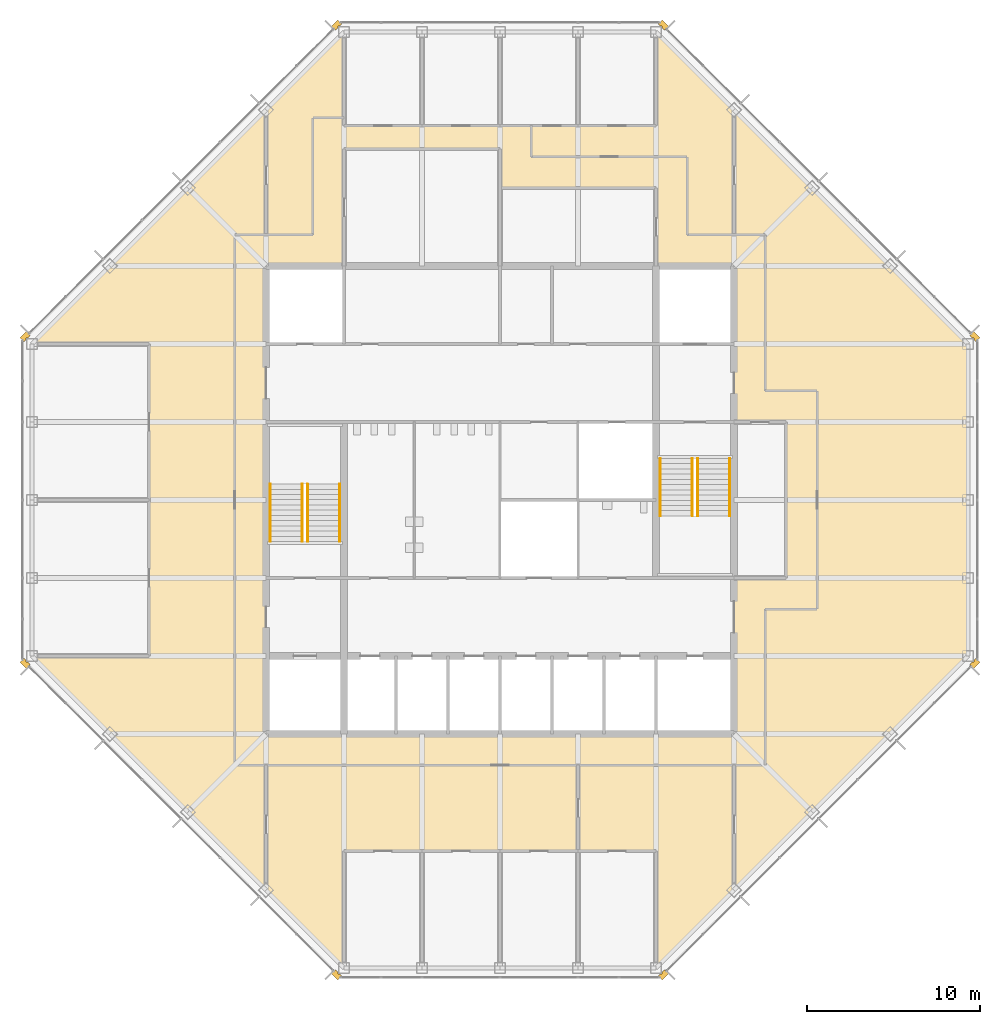
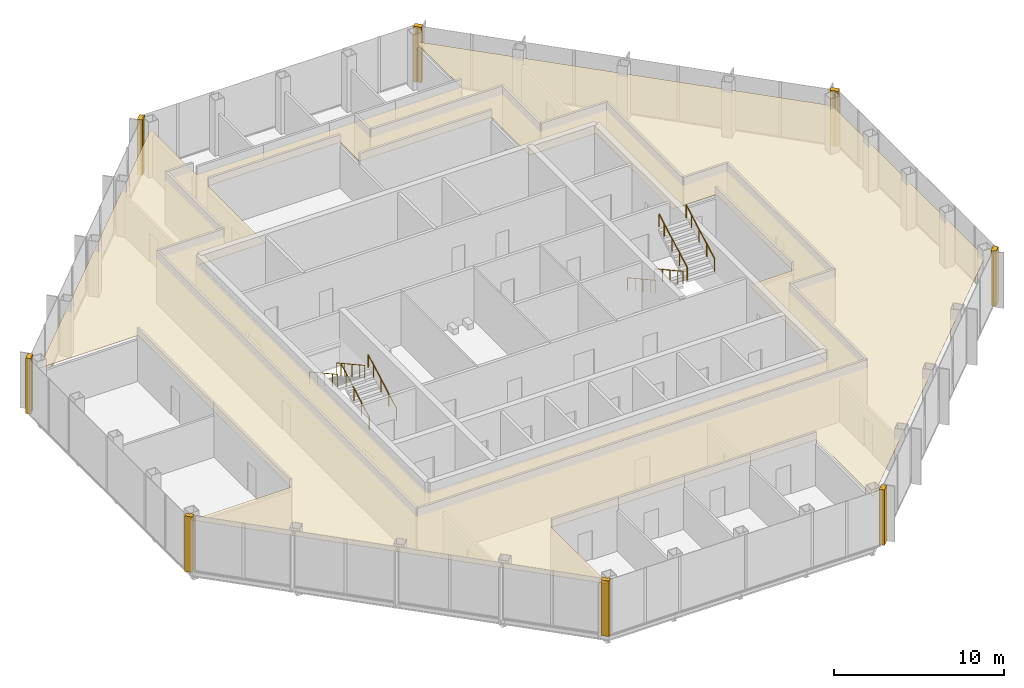
# One storey, part 13 of 14: 9 coverings, 8 railings.
"""IFC4 building model written with IfcOpenShell, lengths in metres."""

from ifc_helpers import new_model, si_unit, direction, frame, origin, origin_2d, place, context, subcontext, project, spatial, polyline, circle, outline, extrude, material, layer, layer_set, type_object, element, save


model = new_model("IFC4")

# Units and contexts
model_context = context("Model", 3, precision=1e-05, world=origin(), true_north=direction((0.0, 1.0)))
body_context = subcontext(model_context, "Body", "Model", "MODEL_VIEW")
ifc_project = project(units=[si_unit("LENGTHUNIT", "METRE"), si_unit("AREAUNIT", "SQUARE_METRE"), si_unit("VOLUMEUNIT", "CUBIC_METRE"), si_unit("PLANEANGLEUNIT", "RADIAN"), si_unit("MASSUNIT", "GRAM", prefix="KILO")], contexts=[model_context])

# Site, building, storey
site_placement = place(None, origin())
site = spatial("IfcSite", under=ifc_project, at=site_placement, CompositionType="ELEMENT")
building_placement = place(site_placement, origin())
building = spatial("IfcBuilding", under=site, at=building_placement, Name="Corais Broadcast Tower", CompositionType="ELEMENT")
storey_placement = place(building_placement, frame((0.0, 0.0, 254.60009765625)))
storey = spatial("IfcBuildingStorey", under=building, at=storey_placement, Name="L59", CompositionType="ELEMENT", Elevation=254.60009765625)

# Railings
ifc_material_1 = material(Name="Stainless steel handrail", Category="steel")
railing_type = type_object("IfcRailingType", Name="Handrail 920", PredefinedType="HANDRAIL", material=ifc_material_1)
for number, where, name in (
    (1, (17.75, 24.60009765625, 0.16650390625), "HR1 L59"),
    (2, (15.89990234375, 24.60009765625, 0.16650390625), "HR1 L59"),
):
    element("IfcRailing", number, at=place(storey_placement, frame(where)), inside=storey, type_object=railing_type, Name=name, PredefinedType="HANDRAIL", context=body_context, shape_type="SweptSolid", body=[
        extrude(circle(Radius=0.02392578125, at=origin_2d()), frame((0.0, 0.0, 0.89599609375), z_axis=(0.0, 0.875504475178, 0.483210010185), x_axis=(-1.0, 0.0, 0.0)), (0.0, 0.0, 1.0), 3.79443359375),
        extrude(circle(Radius=0.02099609375, at=origin_2d()), origin(), (0.0, 0.0, 1.0), 0.871826171875),
        extrude(circle(Radius=0.02099609375, at=origin_2d()), frame((0.0, 0.906005859375, 0.5)), (0.0, 0.0, 1.0), 0.871826171875),
        extrude(circle(Radius=0.02099609375, at=origin_2d()), frame((0.0, 1.81201171875, 1.0)), (0.0, 0.0, 1.0), 0.871826171875),
        extrude(circle(Radius=0.02099609375, at=origin_2d()), frame((0.0, 2.718017578125, 1.500244140625)), (0.0, 0.0, 1.0), 0.871826171875),
        extrude(circle(Radius=0.02099609375, at=origin_2d()), frame((0.0, 3.322021484375, 1.83349609375)), (0.0, 0.0, 1.0), 0.871826171875),
    ])
for number, where, name in (
    (3, (13.75, 27.922119140625, 2.16650390625), "HR1 L59"),
    (4, (15.60009765625, 27.922119140625, 2.16650390625), "HR1 L59"),
    (5, (36.25, 29.39990234375, 0.16650390625), "HR1 L59"),
    (6, (38.10009765625, 29.39990234375, 0.16650390625), "HR1 L59"),
):
    element("IfcRailing", number, at=place(storey_placement, frame(where)), inside=storey, type_object=railing_type, Name=name, PredefinedType="HANDRAIL", context=body_context, shape_type="SweptSolid", body=[
        extrude(circle(Radius=0.02392578125, at=origin_2d()), frame((0.0, 0.0, 0.89599609375), z_axis=(0.0, -0.875504475178, 0.483210010185), x_axis=(1.0, 0.0, 0.0)), (0.0, 0.0, 1.0), 3.79443359375),
        extrude(circle(Radius=0.02099609375, at=origin_2d()), origin(), (0.0, 0.0, 1.0), 0.871826171875),
        extrude(circle(Radius=0.02099609375, at=origin_2d()), frame((0.0, -0.906005859375, 0.5)), (0.0, 0.0, 1.0), 0.871826171875),
        extrude(circle(Radius=0.02099609375, at=origin_2d()), frame((0.0, -1.81201171875, 1.0)), (0.0, 0.0, 1.0), 0.871826171875),
        extrude(circle(Radius=0.02099609375, at=origin_2d()), frame((0.0, -2.718017578125, 1.500244140625)), (0.0, 0.0, 1.0), 0.871826171875),
        extrude(circle(Radius=0.02099609375, at=origin_2d()), frame((0.0, -3.322021484375, 1.83349609375)), (0.0, 0.0, 1.0), 0.871826171875),
    ])
for number, where, name in (
    (7, (40.25, 26.077880859375, 2.16650390625), "HR1 L59"),
    (8, (38.39990234375, 26.077880859375, 2.16650390625), "HR1 L59"),
):
    element("IfcRailing", number, at=place(storey_placement, frame(where)), inside=storey, type_object=railing_type, Name=name, PredefinedType="HANDRAIL", context=body_context, shape_type="SweptSolid", body=[
        extrude(circle(Radius=0.02392578125, at=origin_2d()), frame((0.0, 0.0, 0.89599609375), z_axis=(0.0, 0.875504475178, 0.483210010185), x_axis=(-1.0, 0.0, 0.0)), (0.0, 0.0, 1.0), 3.79443359375),
        extrude(circle(Radius=0.02099609375, at=origin_2d()), origin(), (0.0, 0.0, 1.0), 0.871826171875),
        extrude(circle(Radius=0.02099609375, at=origin_2d()), frame((0.0, 0.906005859375, 0.5)), (0.0, 0.0, 1.0), 0.871826171875),
        extrude(circle(Radius=0.02099609375, at=origin_2d()), frame((0.0, 1.81201171875, 1.0)), (0.0, 0.0, 1.0), 0.871826171875),
        extrude(circle(Radius=0.02099609375, at=origin_2d()), frame((0.0, 2.718017578125, 1.500244140625)), (0.0, 0.0, 1.0), 0.871826171875),
        extrude(circle(Radius=0.02099609375, at=origin_2d()), frame((0.0, 3.322021484375, 1.83349609375)), (0.0, 0.0, 1.0), 0.871826171875),
    ])

# Coverings
ifc_material_2 = material(Name="Granite stone cladding", Category="masonry")
ifc_layer_1 = layer(ifc_material_2, 0.324951171875)
ifc_layer_set_1 = layer_set([ifc_layer_1], Name="Granite stone cladding")
covering_type_1 = type_object("IfcCoveringType", Name="Stone corner pier cladding 500x325", PredefinedType="CLADDING", material=ifc_layer_set_1)
covering_1_placement = place(storey_placement, origin())
element("IfcCovering", 9, at=covering_1_placement, inside=storey, type_object=covering_type_1, Name="SP1 stone corner pier L59", PredefinedType="CLADDING", context=body_context, shape_type="SweptSolid", body=[
    extrude(outline(polyline([(17.860595703125, -0.461669921875), (17.7490234375, -0.35009765625), (17.64990234375, -0.35009765625), (17.64990234375, -0.2509765625), (17.507080078125, -0.108154296875), (17.277099609375, -0.337890625), (17.630859375, -0.69140625), (17.860595703125, -0.461669921875)])), origin(), (0.0, 0.0, 1.0), 4.0),
])
covering_2_placement = place(storey_placement, origin())
element("IfcCovering", 10, at=covering_2_placement, inside=storey, type_object=covering_type_1, Name="SP1 stone corner pier L59", PredefinedType="CLADDING", context=body_context, shape_type="SweptSolid", body=[
    extrude(outline(polyline([(-0.35009765625, 17.7490234375), (-0.461669921875, 17.860595703125), (-0.69140625, 17.630859375), (-0.337890625, 17.277099609375), (-0.108154296875, 17.507080078125), (-0.2509765625, 17.64990234375), (-0.35009765625, 17.64990234375), (-0.35009765625, 17.7490234375)])), origin(), (0.0, 0.0, 1.0), 4.0),
])
covering_3_placement = place(storey_placement, origin())
element("IfcCovering", 11, at=covering_3_placement, inside=storey, type_object=covering_type_1, Name="SP1 stone corner pier L59", PredefinedType="CLADDING", context=body_context, shape_type="SweptSolid", body=[
    extrude(outline(polyline([(-0.461669921875, 36.139404296875), (-0.35009765625, 36.2509765625), (-0.35009765625, 36.35009765625), (-0.2509765625, 36.35009765625), (-0.108154296875, 36.492919921875), (-0.337890625, 36.722900390625), (-0.69140625, 36.369140625), (-0.461669921875, 36.139404296875)])), origin(), (0.0, 0.0, 1.0), 4.0),
])
covering_4_placement = place(storey_placement, origin())
element("IfcCovering", 12, at=covering_4_placement, inside=storey, type_object=covering_type_1, Name="SP1 stone corner pier L59", PredefinedType="CLADDING", context=body_context, shape_type="SweptSolid", body=[
    extrude(outline(polyline([(17.7490234375, 54.35009765625), (17.860595703125, 54.461669921875), (17.630859375, 54.69140625), (17.277099609375, 54.337890625), (17.507080078125, 54.108154296875), (17.64990234375, 54.2509765625), (17.64990234375, 54.35009765625), (17.7490234375, 54.35009765625)])), origin(), (0.0, 0.0, 1.0), 4.0),
])
covering_5_placement = place(storey_placement, origin())
element("IfcCovering", 13, at=covering_5_placement, inside=storey, type_object=covering_type_1, Name="SP1 stone corner pier L59", PredefinedType="CLADDING", context=body_context, shape_type="SweptSolid", body=[
    extrude(outline(polyline([(36.139404296875, 54.461669921875), (36.2509765625, 54.35009765625), (36.35009765625, 54.35009765625), (36.35009765625, 54.2509765625), (36.492919921875, 54.108154296875), (36.722900390625, 54.337890625), (36.369140625, 54.69140625), (36.139404296875, 54.461669921875)])), origin(), (0.0, 0.0, 1.0), 4.0),
])
covering_6_placement = place(storey_placement, origin())
element("IfcCovering", 14, at=covering_6_placement, inside=storey, type_object=covering_type_1, Name="SP1 stone corner pier L59", PredefinedType="CLADDING", context=body_context, shape_type="SweptSolid", body=[
    extrude(outline(polyline([(54.35009765625, 36.2509765625), (54.461669921875, 36.139404296875), (54.69140625, 36.369140625), (54.337890625, 36.722900390625), (54.108154296875, 36.492919921875), (54.2509765625, 36.35009765625), (54.35009765625, 36.35009765625), (54.35009765625, 36.2509765625)])), origin(), (0.0, 0.0, 1.0), 4.0),
])
covering_7_placement = place(storey_placement, origin())
element("IfcCovering", 15, at=covering_7_placement, inside=storey, type_object=covering_type_1, Name="SP1 stone corner pier L59", PredefinedType="CLADDING", context=body_context, shape_type="SweptSolid", body=[
    extrude(outline(polyline([(54.461669921875, 17.860595703125), (54.35009765625, 17.7490234375), (54.35009765625, 17.64990234375), (54.2509765625, 17.64990234375), (54.108154296875, 17.507080078125), (54.337890625, 17.277099609375), (54.69140625, 17.630859375), (54.461669921875, 17.860595703125)])), origin(), (0.0, 0.0, 1.0), 4.0),
])
covering_8_placement = place(storey_placement, origin())
element("IfcCovering", 16, at=covering_8_placement, inside=storey, type_object=covering_type_1, Name="SP1 stone corner pier L59", PredefinedType="CLADDING", context=body_context, shape_type="SweptSolid", body=[
    extrude(outline(polyline([(36.2509765625, -0.35009765625), (36.139404296875, -0.461669921875), (36.369140625, -0.69140625), (36.722900390625, -0.337890625), (36.492919921875, -0.108154296875), (36.35009765625, -0.2509765625), (36.35009765625, -0.35009765625), (36.2509765625, -0.35009765625)])), origin(), (0.0, 0.0, 1.0), 4.0),
])
ifc_material_3 = material(Name="Mineral fibre ceiling tile", Category="mineral")
ifc_layer_2 = layer(ifc_material_3, 0.02001953125)
ifc_layer_set_2 = layer_set([ifc_layer_2], Name="Mineral fibre ceiling tile")
covering_type_2 = type_object("IfcCoveringType", Name="Suspended ceiling", PredefinedType="CEILING", material=ifc_layer_set_2)
covering_9_placement = place(storey_placement, frame((0.0, 0.0, 3.219970703125)))
element("IfcCovering", 17, at=covering_9_placement, inside=storey, type_object=covering_type_2, Name="CE1 ceiling L59", PredefinedType="CEILING", context=body_context, shape_type="SweptSolid", body=[
    extrude(outline(polyline([(13.5, 49.5), (18.0, 54.0), (18.0, 48.60009765625), (36.0, 48.60009765625), (36.0, 54.0), (54.0, 36.0), (54.0, 18.0), (40.500244140625, 4.500244140625), (40.498779296875, 4.498779296875), (40.498291015625, 4.498291015625), (36.0, 0.0), (36.0, 6.75), (18.0, 6.75), (18.0, 0.0), (13.501708984375, 4.498291015625), (13.499755859375, 4.500244140625), (0.0, 18.0), (6.75, 18.0), (6.75, 36.0), (0.0, 36.0), (13.5, 49.5)]), holes=[polyline([(40.5, 40.5), (36.0, 40.5), (36.0, 45.0), (27.0, 45.0), (27.0, 47.25), (18.0, 47.25), (18.0, 40.5), (13.5, 40.5), (13.5, 13.5), (40.5, 13.5), (40.5, 22.5), (43.5, 22.5), (43.5, 31.5), (40.5, 31.5), (40.5, 40.5)])]), origin(), (0.0, 0.0, 1.0), 0.02001953125),
])

save(model, "model.ifc")
